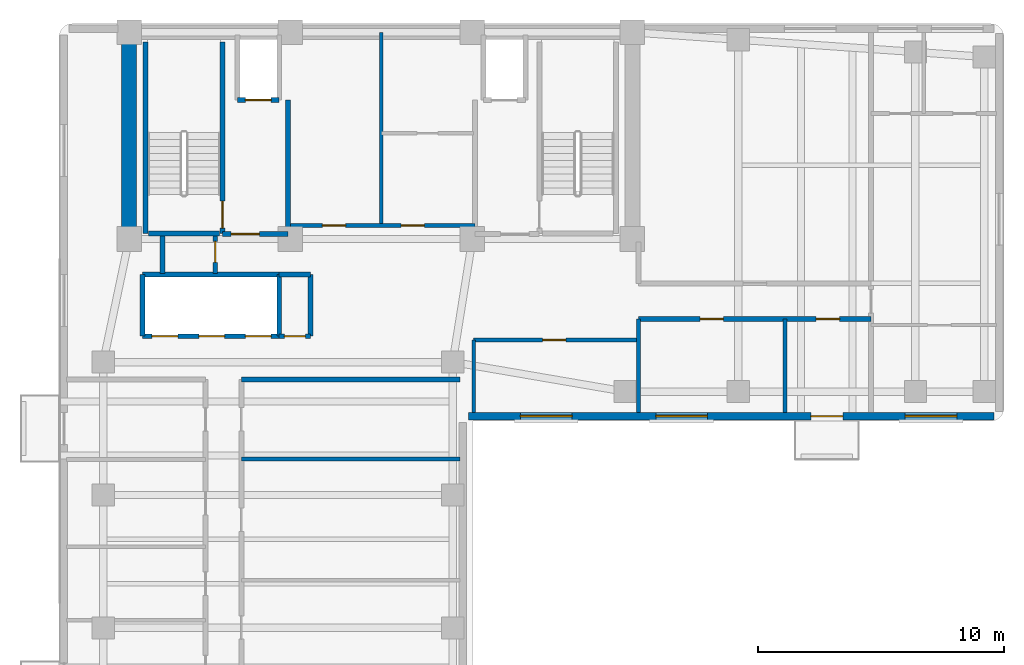
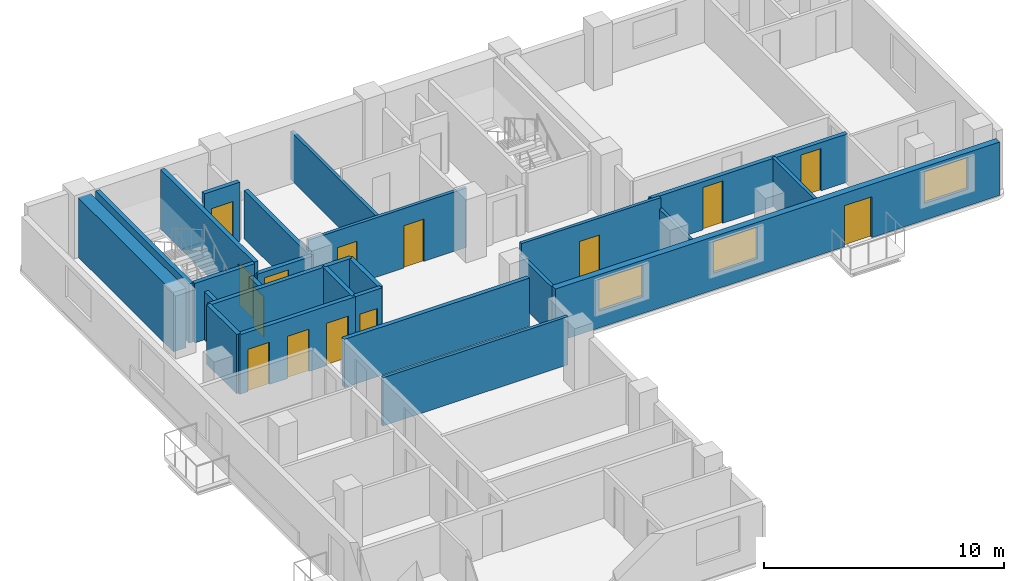
# One storey, part 3 of 6: 26 walls, 14 doors, 3 windows, 17 openings.
"""IFC4 building model written with IfcOpenShell, lengths in metres."""

from ifc_helpers import new_model, si_unit, direction, frame, frame_2d, origin, place, context, subcontext, project, spatial, rectangle, extrude, material, layer, layer_set, type_object, element, fill, save


model = new_model("IFC4")

# Units and contexts
model_context = context("Model", 3, precision=1e-05, world=origin(), true_north=direction((0.0, 1.0)))
body_context = subcontext(model_context, "Body", "Model", "MODEL_VIEW")
ifc_project = project(units=[si_unit("LENGTHUNIT", "METRE"), si_unit("AREAUNIT", "SQUARE_METRE"), si_unit("VOLUMEUNIT", "CUBIC_METRE"), si_unit("PLANEANGLEUNIT", "RADIAN"), si_unit("MASSUNIT", "GRAM", prefix="KILO")], contexts=[model_context])

# Site, building, storey
site_placement = place(None, origin())
site = spatial("IfcSite", under=ifc_project, at=site_placement, CompositionType="ELEMENT")
building_placement = place(site_placement, origin())
building = spatial("IfcBuilding", under=site, at=building_placement, Name="Kuzgunbayir Cultural Tower", CompositionType="ELEMENT")
storey_placement = place(building_placement, frame((0.0, 0.0, 169.60009765625)))
storey = spatial("IfcBuildingStorey", under=building, at=storey_placement, Name="L49", CompositionType="ELEMENT", Elevation=169.60009765625)

# Wall
ifc_material_1 = material(Name="Concrete C60/75", Category="concrete")
ifc_layer_1 = layer(ifc_material_1, 0.60009765625)
ifc_layer_set_1 = layer_set([ifc_layer_1], Name="Concrete C60/75")
wall_type_1 = type_object("IfcWallType", Name="WAL-CORE-600", PredefinedType="SHEAR", material=ifc_layer_set_1)
wall_1_placement = place(storey_placement, frame((6.449951171875, 33.800048828125, 0.0), z_axis=(0.0, 0.0, 1.0), x_axis=(0.0, 1.0, 0.0)))
element("IfcWall", 1, at=wall_1_placement, inside=storey, type_object=wall_type_1, Name="L49 T1 Core West Shear Wall", PredefinedType="SHEAR", context=body_context, shape_type="SweptSolid", body=[
    extrude(rectangle(XDim=7.949951171875, YDim=0.60009765625, at=frame_2d((3.97509765625, 0.0))), origin(), (0.0, 0.0, 1.0), 3.02001953125),
])

# Wall, openings, door, windows
ifc_material_2 = material(Name="Anatolian Cream Limestone", Category="masonry")
ifc_layer_2 = layer(ifc_material_2, 0.300048828125)
ifc_layer_set_2 = layer_set([ifc_layer_2], Name="Anatolian Cream Limestone")
wall_type_2 = type_object("IfcWallType", Name="WAL-EXT-STONE-300", PredefinedType="STANDARD", material=ifc_layer_set_2)
wall_2_placement = place(storey_placement, frame((20.25, 26.60009765625, 0.0), z_axis=(0.0, 0.0, 1.0), x_axis=(1.0, 0.0, 0.0)))
wall_2 = element("IfcWall", 2, at=wall_2_placement, inside=storey, type_object=wall_type_2, Name="L49 Wing B South Limestone Wall", PredefinedType="STANDARD", context=body_context, shape_type="SweptSolid", body=[
    extrude(rectangle(XDim=21.35009765625, YDim=0.300048828125, at=frame_2d((10.675048828125, 0.0))), origin(), (0.0, 0.0, 1.0), 2.7099609375),
])
opening_1_placement = place(wall_2_placement, frame((13.89990234375, 0.0, 0.0)))
opening_1 = element("IfcOpeningElement", 3, at=opening_1_placement, cuts=wall_2, Name="Opening BD-13", PredefinedType="OPENING", context=body_context, shape_type="SweptSolid", body=[
    extrude(rectangle(XDim=1.300048828125, YDim=2.080078125, at=frame_2d((0.64990234375, 1.0400390625))), frame((0.0, 0.16015625, 0.0), z_axis=(0.0, -1.0, 0.0), x_axis=(1.0, 0.0, 0.0)), (0.0, 0.0, 1.0), 0.320068359375),
])
opening_2_placement = place(wall_2_placement, frame((17.72998046875, 0.0, 0.85009765625)))
opening_2 = element("IfcOpeningElement", 4, at=opening_2_placement, cuts=wall_2, Name="Opening WR-21", PredefinedType="OPENING", context=body_context, shape_type="SweptSolid", body=[
    extrude(rectangle(XDim=2.10009765625, YDim=1.610107421875, at=frame_2d((1.050048828125, 0.80517578125))), frame((0.0, 0.16015625, 0.0), z_axis=(0.0, -1.0, 0.0), x_axis=(1.0, 0.0, 0.0)), (0.0, 0.0, 1.0), 0.320068359375),
])
opening_3_placement = place(wall_2_placement, frame((2.10009765625, 0.0, 0.85009765625)))
opening_3 = element("IfcOpeningElement", 5, at=opening_3_placement, cuts=wall_2, Name="Opening WR-21", PredefinedType="OPENING", context=body_context, shape_type="SweptSolid", body=[
    extrude(rectangle(XDim=2.10009765625, YDim=1.610107421875, at=frame_2d((1.050048828125, 0.80517578125))), frame((0.0, 0.16015625, 0.0), z_axis=(0.0, -1.0, 0.0), x_axis=(1.0, 0.0, 0.0)), (0.0, 0.0, 1.0), 0.320068359375),
])
opening_4_placement = place(wall_2_placement, frame((7.60009765625, 0.0, 0.85009765625)))
opening_4 = element("IfcOpeningElement", 6, at=opening_4_placement, cuts=wall_2, Name="Opening WR-21", PredefinedType="OPENING", context=body_context, shape_type="SweptSolid", body=[
    extrude(rectangle(XDim=2.10009765625, YDim=1.610107421875, at=frame_2d((1.050048828125, 0.80517578125))), frame((0.0, 0.16015625, 0.0), z_axis=(0.0, -1.0, 0.0), x_axis=(1.0, 0.0, 0.0)), (0.0, 0.0, 1.0), 0.320068359375),
])
ifc_material_3 = material(Name="Thermally Broken Glazed Aluminium", Category="aluminium")
door_type_1 = type_object("IfcDoorType", Name="DR-BALCONY-135", OperationType="SLIDING_TO_LEFT", PredefinedType="DOOR", material=ifc_material_3)
door_1_placement = place(opening_1_placement, origin())
door_1 = element("IfcDoor", 7, at=door_1_placement, inside=storey, type_object=door_type_1, Name="L49 South Balcony Sliding Door BAL-L49-WB2", OperationType="SLIDING_TO_LEFT", OverallHeight=2.080078125, OverallWidth=1.300048828125, PredefinedType="DOOR", context=body_context, shape_type="SweptSolid", body=[
    extrude(rectangle(XDim=1.300048828125, YDim=2.080078125, at=frame_2d((0.64990234375, 1.0400390625))), frame((0.0, 0.02490234375, 0.0), z_axis=(0.0, -1.0, 0.0), x_axis=(1.0, 0.0, 0.0)), (0.0, 0.0, 1.0), 0.050048828125),
])
fill(opening_1, door_1)
ifc_material_4 = material(Name="Solar-Control Triple Glazing", Category="glass")
window_type = type_object("IfcWindowType", Name="WIN-RESID-21", PartitioningType="SINGLE_PANEL", PredefinedType="WINDOW", material=ifc_material_4)
window_1_placement = place(opening_2_placement, origin())
window_1 = element("IfcWindow", 8, at=window_1_placement, inside=storey, type_object=window_type, Name="L49 WBS Facade Window 6", OverallHeight=1.610107421875, OverallWidth=2.10009765625, PartitioningType="SINGLE_PANEL", PredefinedType="WINDOW", context=body_context, shape_type="SweptSolid", body=[
    extrude(rectangle(XDim=2.10009765625, YDim=1.610107421875, at=frame_2d((1.050048828125, 0.80517578125))), frame((0.0, 0.030029296875, 0.0), z_axis=(0.0, -1.0, 0.0), x_axis=(1.0, 0.0, 0.0)), (0.0, 0.0, 1.0), 0.06005859375),
])
fill(opening_2, window_1)
window_2_placement = place(opening_3_placement, origin())
window_2 = element("IfcWindow", 9, at=window_2_placement, inside=storey, type_object=window_type, Name="L49 WBS Facade Window 13", OverallHeight=1.610107421875, OverallWidth=2.10009765625, PartitioningType="SINGLE_PANEL", PredefinedType="WINDOW", context=body_context, shape_type="SweptSolid", body=[
    extrude(rectangle(XDim=2.10009765625, YDim=1.610107421875, at=frame_2d((1.050048828125, 0.80517578125))), frame((0.0, 0.030029296875, 0.0), z_axis=(0.0, -1.0, 0.0), x_axis=(1.0, 0.0, 0.0)), (0.0, 0.0, 1.0), 0.06005859375),
])
fill(opening_3, window_2)
window_3_placement = place(opening_4_placement, origin())
window_3 = element("IfcWindow", 10, at=window_3_placement, inside=storey, type_object=window_type, Name="L49 WBS Facade Window 14", OverallHeight=1.610107421875, OverallWidth=2.10009765625, PartitioningType="SINGLE_PANEL", PredefinedType="WINDOW", context=body_context, shape_type="SweptSolid", body=[
    extrude(rectangle(XDim=2.10009765625, YDim=1.610107421875, at=frame_2d((1.050048828125, 0.80517578125))), frame((0.0, 0.030029296875, 0.0), z_axis=(0.0, -1.0, 0.0), x_axis=(1.0, 0.0, 0.0)), (0.0, 0.0, 1.0), 0.06005859375),
])
fill(opening_4, window_3)

# Wall, openings, doors
ifc_material_5 = material(Name="Acoustic Double-Stud Drywall", Category="gypsum")
ifc_layer_3 = layer(ifc_material_5, 0.14990234375)
ifc_layer_set_3 = layer_set([ifc_layer_3], Name="Acoustic Double-Stud Drywall")
wall_type_3 = type_object("IfcWallType", Name="WAL-PART-ACOUSTIC-150", PredefinedType="PARTITIONING", material=ifc_layer_set_3)
wall_3_placement = place(storey_placement, frame((12.89990234375, 34.35009765625, 0.0), z_axis=(0.0, 0.0, 1.0), x_axis=(1.0, 0.0, 0.0)))
wall_3 = element("IfcWall", 11, at=wall_3_placement, inside=storey, type_object=wall_type_3, Name="L49 Sky Core South Wall", PredefinedType="PARTITIONING", context=body_context, shape_type="SweptSolid", body=[
    extrude(rectangle(XDim=7.60009765625, YDim=0.14990234375, at=frame_2d((3.800048828125, 0.0))), origin(), (0.0, 0.0, 1.0), 3.02001953125),
])
opening_5_placement = place(wall_3_placement, frame((1.39990234375, 0.0, 0.0)))
opening_5 = element("IfcOpeningElement", 12, at=opening_5_placement, cuts=wall_3, Name="Opening DC-95", PredefinedType="OPENING", context=body_context, shape_type="SweptSolid", body=[
    extrude(rectangle(XDim=0.949951171875, YDim=2.14990234375, at=frame_2d((0.47509765625, 1.074951171875))), frame((0.0, 0.0849609375, 0.0), z_axis=(0.0, -1.0, 0.0), x_axis=(1.0, 0.0, 0.0)), (0.0, 0.0, 1.0), 0.169921875),
])
opening_6_placement = place(wall_3_placement, frame((4.60009765625, 0.0, 0.0)))
opening_6 = element("IfcOpeningElement", 13, at=opening_6_placement, cuts=wall_3, Name="Opening DC-95", PredefinedType="OPENING", context=body_context, shape_type="SweptSolid", body=[
    extrude(rectangle(XDim=0.949951171875, YDim=2.14990234375, at=frame_2d((0.47509765625, 1.074951171875))), frame((0.0, 0.0849609375, 0.0), z_axis=(0.0, -1.0, 0.0), x_axis=(1.0, 0.0, 0.0)), (0.0, 0.0, 1.0), 0.169921875),
])
ifc_material_6 = material(Name="Fire-Rated Veneered Oak Leaf", Category="wood")
door_type_2 = type_object("IfcDoorType", Name="DR-CORE-95", OperationType="NOTDEFINED", PredefinedType="DOOR", material=ifc_material_6)
door_2_placement = place(opening_5_placement, origin())
door_2 = element("IfcDoor", 14, at=door_2_placement, inside=storey, type_object=door_type_2, Name="L49 Library Alcove Door", OperationType="SINGLE_SWING_LEFT", OverallHeight=2.14990234375, OverallWidth=0.949951171875, PredefinedType="DOOR", context=body_context, shape_type="SweptSolid", body=[
    extrude(rectangle(XDim=0.949951171875, YDim=2.14990234375, at=frame_2d((0.47509765625, 1.074951171875))), frame((0.0, 0.02490234375, 0.0), z_axis=(0.0, -1.0, 0.0), x_axis=(1.0, 0.0, 0.0)), (0.0, 0.0, 1.0), 0.050048828125),
])
fill(opening_5, door_2)
door_3_placement = place(opening_6_placement, origin())
door_3 = element("IfcDoor", 15, at=door_3_placement, inside=storey, type_object=door_type_2, Name="L49 Music Practice Room Door", OperationType="SINGLE_SWING_RIGHT", OverallHeight=2.14990234375, OverallWidth=0.949951171875, PredefinedType="DOOR", context=body_context, shape_type="SweptSolid", body=[
    extrude(rectangle(XDim=0.949951171875, YDim=2.14990234375, at=frame_2d((0.47509765625, 1.074951171875))), frame((0.0, 0.02490234375, 0.0), z_axis=(0.0, -1.0, 0.0), x_axis=(1.0, 0.0, 0.0)), (0.0, 0.0, 1.0), 0.050048828125),
])
fill(opening_6, door_3)

# Wall
wall_4_placement = place(storey_placement, frame((16.699951171875, 34.35009765625, 0.0), z_axis=(0.0, 0.0, 1.0), x_axis=(0.0, 1.0, 0.0)))
element("IfcWall", 16, at=wall_4_placement, inside=storey, type_object=wall_type_3, Name="L49 Sky Core Vertical Wall", PredefinedType="PARTITIONING", context=body_context, shape_type="SweptSolid", body=[
    extrude(rectangle(XDim=7.849853515625, YDim=0.14990234375, at=frame_2d((3.9248046875, 0.0))), origin(), (0.0, 0.0, 1.0), 2.449951171875),
])

# Wall, opening, door
wall_5_placement = place(storey_placement, frame((20.449951171875, 29.699951171875, 0.0), z_axis=(0.0, 0.0, 1.0), x_axis=(1.0, 0.0, 0.0)))
wall_5 = element("IfcWall", 17, at=wall_5_placement, inside=storey, type_object=wall_type_3, Name="L49 Waist Alcove North Wall", PredefinedType="PARTITIONING", context=body_context, shape_type="SweptSolid", body=[
    extrude(rectangle(XDim=6.699951171875, YDim=0.14990234375, at=frame_2d((3.35009765625, 0.0))), origin(), (0.0, 0.0, 1.0), 3.02001953125),
])
opening_7_placement = place(wall_5_placement, frame((2.800048828125, 0.0, 0.0)))
opening_7 = element("IfcOpeningElement", 18, at=opening_7_placement, cuts=wall_5, Name="Opening DI-90", PredefinedType="OPENING", context=body_context, shape_type="SweptSolid", body=[
    extrude(rectangle(XDim=0.949951171875, YDim=2.14990234375, at=frame_2d((0.47509765625, 1.074951171875))), frame((0.0, 0.0849609375, 0.0), z_axis=(0.0, -1.0, 0.0), x_axis=(1.0, 0.0, 0.0)), (0.0, 0.0, 1.0), 0.169921875),
])
ifc_material_7 = material(Name="Veneered Oak Single Leaf", Category="wood")
door_type_3 = type_object("IfcDoorType", Name="DR-INT-90", OperationType="NOTDEFINED", PredefinedType="DOOR", material=ifc_material_7)
door_4_placement = place(opening_7_placement, origin())
door_4 = element("IfcDoor", 19, at=door_4_placement, inside=storey, type_object=door_type_3, Name="L49 Waist Alcove Door", OperationType="SINGLE_SWING_RIGHT", OverallHeight=2.14990234375, OverallWidth=0.949951171875, PredefinedType="DOOR", context=body_context, shape_type="SweptSolid", body=[
    extrude(rectangle(XDim=0.949951171875, YDim=2.14990234375, at=frame_2d((0.47509765625, 1.074951171875))), frame((0.0, 0.02490234375, 0.0), z_axis=(0.0, -1.0, 0.0), x_axis=(1.0, 0.0, 0.0)), (0.0, 0.0, 1.0), 0.050048828125),
])
fill(opening_7, door_4)

# Walls
wall_6_placement = place(storey_placement, frame((20.449951171875, 26.75, 0.0), z_axis=(0.0, 0.0, 1.0), x_axis=(0.0, 1.0, 0.0)))
element("IfcWall", 20, at=wall_6_placement, inside=storey, type_object=wall_type_3, Name="L49 Waist Alcove West Wall", PredefinedType="PARTITIONING", context=body_context, shape_type="SweptSolid", body=[
    extrude(rectangle(XDim=2.949951171875, YDim=0.14990234375, at=frame_2d((1.47509765625, 0.0))), origin(), (0.0, 0.0, 1.0), 2.449951171875),
])
wall_7_placement = place(storey_placement, frame((27.14990234375, 26.75, 0.0), z_axis=(0.0, 0.0, 1.0), x_axis=(0.0, 1.0, 0.0)))
element("IfcWall", 21, at=wall_7_placement, inside=storey, type_object=wall_type_3, Name="L49 Waist Alcove East Wall", PredefinedType="PARTITIONING", context=body_context, shape_type="SweptSolid", body=[
    extrude(rectangle(XDim=3.800048828125, YDim=0.14990234375, at=frame_2d((1.89990234375, 0.0))), origin(), (0.0, 0.0, 1.0), 2.449951171875),
])
wall_8_placement = place(storey_placement, frame((11.010009765625, 24.860107421875, 0.0), z_axis=(0.0, 0.0, 1.0), x_axis=(1.0, 0.0, 0.0)))
element("IfcWall", 22, at=wall_8_placement, inside=storey, type_object=wall_type_3, Name="L49 East Divider 2", PredefinedType="PARTITIONING", context=body_context, shape_type="SweptSolid", body=[
    extrude(rectangle(XDim=8.889892578125, YDim=0.14990234375, at=frame_2d((4.44482421875, 0.0))), origin(), (0.0, 0.0, 1.0), 2.449951171875),
])
wall_9_placement = place(storey_placement, frame((33.10009765625, 26.75, 0.0), z_axis=(0.0, 0.0, 1.0), x_axis=(0.0, 1.0, 0.0)))
element("IfcWall", 23, at=wall_9_placement, inside=storey, type_object=wall_type_3, Name="L49 Wing B South Divider 1", PredefinedType="PARTITIONING", context=body_context, shape_type="SweptSolid", body=[
    extrude(rectangle(XDim=3.800048828125, YDim=0.14990234375, at=frame_2d((1.89990234375, 0.0))), origin(), (0.0, 0.0, 1.0), 2.449951171875),
])
ifc_material_8 = material(Name="Aerated Concrete Blockwork", Category="masonry")
ifc_layer_4 = layer(ifc_material_8, 0.199951171875)
ifc_layer_set_4 = layer_set([ifc_layer_4], Name="Aerated Concrete Blockwork")
wall_type_4 = type_object("IfcWallType", Name="WAL-PART-FIRE-200", PredefinedType="PARTITIONING", material=ifc_layer_set_4)
wall_10_placement = place(storey_placement, frame((12.89990234375, 34.0, 0.0), z_axis=(0.0, 0.0, 1.0), x_axis=(0.0, 1.0, 0.0)))
element("IfcWall", 24, at=wall_10_placement, inside=storey, type_object=wall_type_4, Name="L49 FFL-1 Lobby East Fire Wall", PredefinedType="PARTITIONING", context=body_context, shape_type="SweptSolid", body=[
    extrude(rectangle(XDim=5.449951171875, YDim=0.199951171875, at=frame_2d((2.72509765625, 0.0))), origin(), (0.0, 0.0, 1.0), 2.449951171875),
])

# Wall, opening, door
wall_11_placement = place(storey_placement, frame((10.239990234375, 34.0, 0.0), z_axis=(0.0, 0.0, 1.0), x_axis=(1.0, 0.0, 0.0)))
wall_11 = element("IfcWall", 25, at=wall_11_placement, inside=storey, type_object=wall_type_4, Name="L49 FFL-1 Lobby South Fire Wall", PredefinedType="PARTITIONING", context=body_context, shape_type="SweptSolid", body=[
    extrude(rectangle(XDim=2.659912109375, YDim=0.199951171875, at=frame_2d((1.330078125, 0.0))), origin(), (0.0, 0.0, 1.0), 2.449951171875),
])
opening_8_placement = place(wall_11_placement, frame((0.35009765625, 0.0, 0.0)))
opening_8 = element("IfcOpeningElement", 26, at=opening_8_placement, cuts=wall_11, Name="Opening DR-FFL-90", PredefinedType="OPENING", context=body_context, shape_type="SweptSolid", body=[
    extrude(rectangle(XDim=1.14990234375, YDim=2.14990234375, at=frame_2d((0.574951171875, 1.074951171875))), frame((0.0, 0.10986328125, 0.0), z_axis=(0.0, -1.0, 0.0), x_axis=(1.0, 0.0, 0.0)), (0.0, 0.0, 1.0), 0.219970703125),
])
ifc_material_9 = material(Name="Steel S355J2", Category="steel")
door_type_4 = type_object("IfcDoorType", Name="DR-FFL-90", OperationType="NOTDEFINED", PredefinedType="DOOR", material=ifc_material_9)
door_5_placement = place(opening_8_placement, origin())
door_5 = element("IfcDoor", 27, at=door_5_placement, inside=storey, type_object=door_type_4, Name="L49 Firefighting Lobby 1 Door", OperationType="SINGLE_SWING_LEFT", OverallHeight=2.14990234375, OverallWidth=1.14990234375, PredefinedType="DOOR", context=body_context, shape_type="SweptSolid", body=[
    extrude(rectangle(XDim=1.14990234375, YDim=2.14990234375, at=frame_2d((0.574951171875, 1.074951171875))), frame((0.0, 0.02490234375, 0.0), z_axis=(0.0, -1.0, 0.0), x_axis=(1.0, 0.0, 0.0)), (0.0, 0.0, 1.0), 0.050048828125),
])
fill(opening_8, door_5)

wall_12_placement = place(storey_placement, frame((12.550048828125, 29.85009765625, 0.0), z_axis=(0.0, 0.0, 1.0), x_axis=(1.0, 0.0, 0.0)))
wall_12 = element("IfcWall", 28, at=wall_12_placement, inside=storey, type_object=wall_type_4, Name="L49 Center Core Switchgear South Wall", PredefinedType="PARTITIONING", context=body_context, shape_type="SweptSolid", body=[
    extrude(rectangle(XDim=1.27001953125, YDim=0.199951171875, at=frame_2d((0.635009765625, 0.0))), origin(), (0.0, 0.0, 1.0), 3.02001953125),
])
opening_9_placement = place(wall_12_placement, frame((0.2099609375, 0.0, 0.0)))
opening_9 = element("IfcOpeningElement", 29, at=opening_9_placement, cuts=wall_12, Name="Opening DR-RSR-60", PredefinedType="OPENING", context=body_context, shape_type="SweptSolid", body=[
    extrude(rectangle(XDim=0.85009765625, YDim=2.050048828125, at=frame_2d((0.425048828125, 1.02490234375))), frame((0.0, 0.10986328125, 0.0), z_axis=(0.0, -1.0, 0.0), x_axis=(1.0, 0.0, 0.0)), (0.0, 0.0, 1.0), 0.219970703125),
])
ifc_material_10 = material(Name="Steel Access Leaf", Category="steel")
door_type_5 = type_object("IfcDoorType", Name="DR-RISER-60", OperationType="NOTDEFINED", PredefinedType="DOOR", material=ifc_material_10)
door_6_placement = place(opening_9_placement, origin())
door_6 = element("IfcDoor", 30, at=door_6_placement, inside=storey, type_object=door_type_5, Name="L49 Electrical Switchgear Closet Door", OperationType="SINGLE_SWING_LEFT", OverallHeight=2.050048828125, OverallWidth=0.85009765625, PredefinedType="DOOR", context=body_context, shape_type="SweptSolid", body=[
    extrude(rectangle(XDim=0.85009765625, YDim=2.050048828125, at=frame_2d((0.425048828125, 1.02490234375))), frame((0.0, 0.02490234375, 0.0), z_axis=(0.0, -1.0, 0.0), x_axis=(1.0, 0.0, 0.0)), (0.0, 0.0, 1.0), 0.050048828125),
])
fill(opening_9, door_6)

# Walls
wall_13_placement = place(storey_placement, frame((13.820068359375, 29.85009765625, 0.0), z_axis=(0.0, 0.0, 1.0), x_axis=(0.0, 1.0, 0.0)))
element("IfcWall", 31, at=wall_13_placement, inside=storey, type_object=wall_type_4, Name="L49 Center Core Switchgear East Wall", PredefinedType="PARTITIONING", context=body_context, shape_type="SweptSolid", body=[
    extrude(rectangle(XDim=2.5, YDim=0.199951171875, at=frame_2d((1.25, 0.0))), origin(), (0.0, 0.0, 1.0), 3.02001953125),
])
wall_14_placement = place(storey_placement, frame((12.550048828125, 32.35009765625, 0.0), z_axis=(0.0, 0.0, 1.0), x_axis=(1.0, 0.0, 0.0)))
element("IfcWall", 32, at=wall_14_placement, inside=storey, type_object=wall_type_4, Name="L49 Center Core Switchgear North Wall", PredefinedType="PARTITIONING", context=body_context, shape_type="SweptSolid", body=[
    extrude(rectangle(XDim=1.27001953125, YDim=0.199951171875, at=frame_2d((0.635009765625, 0.0))), origin(), (0.0, 0.0, 1.0), 3.02001953125),
])
wall_15_placement = place(storey_placement, frame((7.800048828125, 32.39990234375, 0.0), z_axis=(0.0, 0.0, 1.0), x_axis=(0.0, 1.0, 0.0)))
element("IfcWall", 33, at=wall_15_placement, inside=storey, type_object=wall_type_4, Name="L49 West Core Electrical Closet West Wall", PredefinedType="PARTITIONING", context=body_context, shape_type="SweptSolid", body=[
    extrude(rectangle(XDim=1.52001953125, YDim=0.199951171875, at=frame_2d((0.760009765625, 0.0))), origin(), (0.0, 0.0, 1.0), 2.449951171875),
])

# Wall, opening, door
wall_16_placement = place(storey_placement, frame((9.949951171875, 32.39990234375, 0.0), z_axis=(0.0, 0.0, 1.0), x_axis=(0.0, 1.0, 0.0)))
wall_16 = element("IfcWall", 34, at=wall_16_placement, inside=storey, type_object=wall_type_4, Name="L49 West Core Electrical Closet East Wall", PredefinedType="PARTITIONING", context=body_context, shape_type="SweptSolid", body=[
    extrude(rectangle(XDim=1.52001953125, YDim=0.199951171875, at=frame_2d((0.760009765625, 0.0))), origin(), (0.0, 0.0, 1.0), 2.449951171875),
])
opening_10_placement = place(wall_16_placement, frame((0.449951171875, 0.0, 0.0)))
opening_10 = element("IfcOpeningElement", 35, at=opening_10_placement, cuts=wall_16, Name="Opening DR-RSR-60", PredefinedType="OPENING", context=body_context, shape_type="SweptSolid", body=[
    extrude(rectangle(XDim=0.85009765625, YDim=2.050048828125, at=frame_2d((0.425048828125, 1.02490234375))), frame((0.0, 0.10986328125, 0.0), z_axis=(0.0, -1.0, 0.0), x_axis=(1.0, 0.0, 0.0)), (0.0, 0.0, 1.0), 0.219970703125),
])
door_7_placement = place(opening_10_placement, origin())
door_7 = element("IfcDoor", 36, at=door_7_placement, inside=storey, type_object=door_type_5, Name="L49 West Core Switchgear Closet Door", OperationType="SINGLE_SWING_RIGHT", OverallHeight=2.050048828125, OverallWidth=0.85009765625, PredefinedType="DOOR", context=body_context, shape_type="SweptSolid", body=[
    extrude(rectangle(XDim=0.85009765625, YDim=2.050048828125, at=frame_2d((0.425048828125, 1.02490234375))), frame((0.0, 0.02490234375, 0.0), z_axis=(0.0, -1.0, 0.0), x_axis=(1.0, 0.0, 0.0)), (0.0, 0.0, 1.0), 0.050048828125),
])
fill(opening_10, door_7)

# Wall
wall_17_placement = place(storey_placement, frame((11.010009765625, 28.10009765625, 0.0), z_axis=(0.0, 0.0, 1.0), x_axis=(1.0, 0.0, 0.0)))
element("IfcWall", 37, at=wall_17_placement, inside=storey, type_object=wall_type_4, Name="L49 North East Partition", PredefinedType="PARTITIONING", context=body_context, shape_type="SweptSolid", body=[
    extrude(rectangle(XDim=8.889892578125, YDim=0.199951171875, at=frame_2d((4.44482421875, 0.0))), origin(), (0.0, 0.0, 1.0), 2.449951171875),
])

# Wall, openings, doors
wall_18_placement = place(storey_placement, frame((27.14990234375, 30.550048828125, 0.0), z_axis=(0.0, 0.0, 1.0), x_axis=(1.0, 0.0, 0.0)))
wall_18 = element("IfcWall", 38, at=wall_18_placement, inside=storey, type_object=wall_type_4, Name="L49 Wing B Residence Corridor South Wall", PredefinedType="PARTITIONING", context=body_context, shape_type="SweptSolid", body=[
    extrude(rectangle(XDim=9.4501953125, YDim=0.199951171875, at=frame_2d((4.72509765625, 0.0))), origin(), (0.0, 0.0, 1.0), 2.449951171875),
])
opening_11_placement = place(wall_18_placement, frame((2.5, 0.0, 0.0)))
opening_11 = element("IfcOpeningElement", 39, at=opening_11_placement, cuts=wall_18, Name="Opening DI-90", PredefinedType="OPENING", context=body_context, shape_type="SweptSolid", body=[
    extrude(rectangle(XDim=0.949951171875, YDim=2.14990234375, at=frame_2d((0.47509765625, 1.074951171875))), frame((0.0, 0.10986328125, 0.0), z_axis=(0.0, -1.0, 0.0), x_axis=(1.0, 0.0, 0.0)), (0.0, 0.0, 1.0), 0.219970703125),
])
opening_12_placement = place(wall_18_placement, frame((7.219970703125, 0.0, 0.0)))
opening_12 = element("IfcOpeningElement", 40, at=opening_12_placement, cuts=wall_18, Name="Opening DI-90", PredefinedType="OPENING", context=body_context, shape_type="SweptSolid", body=[
    extrude(rectangle(XDim=0.949951171875, YDim=2.14990234375, at=frame_2d((0.47509765625, 1.074951171875))), frame((0.0, 0.10986328125, 0.0), z_axis=(0.0, -1.0, 0.0), x_axis=(1.0, 0.0, 0.0)), (0.0, 0.0, 1.0), 0.219970703125),
])
door_8_placement = place(opening_11_placement, origin())
door_8 = element("IfcDoor", 41, at=door_8_placement, inside=storey, type_object=door_type_3, Name="L49 Wing B Seminar Boardroom 1 Door", OperationType="SINGLE_SWING_LEFT", OverallHeight=2.14990234375, OverallWidth=0.949951171875, PredefinedType="DOOR", context=body_context, shape_type="SweptSolid", body=[
    extrude(rectangle(XDim=0.949951171875, YDim=2.14990234375, at=frame_2d((0.47509765625, 1.074951171875))), frame((0.0, 0.02490234375, 0.0), z_axis=(0.0, -1.0, 0.0), x_axis=(1.0, 0.0, 0.0)), (0.0, 0.0, 1.0), 0.050048828125),
])
fill(opening_11, door_8)
door_9_placement = place(opening_12_placement, origin())
door_9 = element("IfcDoor", 42, at=door_9_placement, inside=storey, type_object=door_type_3, Name="L49 Wing B Seminar Boardroom 2 Door", OperationType="SINGLE_SWING_RIGHT", OverallHeight=2.14990234375, OverallWidth=0.949951171875, PredefinedType="DOOR", context=body_context, shape_type="SweptSolid", body=[
    extrude(rectangle(XDim=0.949951171875, YDim=2.14990234375, at=frame_2d((0.47509765625, 1.074951171875))), frame((0.0, 0.02490234375, 0.0), z_axis=(0.0, -1.0, 0.0), x_axis=(1.0, 0.0, 0.0)), (0.0, 0.0, 1.0), 0.050048828125),
])
fill(opening_12, door_9)

ifc_material_11 = material(Name="Concrete C40/50", Category="concrete")
ifc_layer_5 = layer(ifc_material_11, 0.199951171875)
ifc_layer_set_5 = layer_set([ifc_layer_5], Name="Concrete C40/50")
wall_type_5 = type_object("IfcWallType", Name="WAL-SHAFT-200", PredefinedType="MOVABLE", material=ifc_layer_set_5)
wall_19_placement = place(storey_placement, frame((7.0, 29.85009765625, 0.0), z_axis=(0.0, 0.0, 1.0), x_axis=(1.0, 0.0, 0.0)))
wall_19 = element("IfcWall", 43, at=wall_19_placement, inside=storey, type_object=wall_type_5, Name="L49 High-Rise Lift Shaft South Wall", PredefinedType="MOVABLE", context=body_context, shape_type="SweptSolid", body=[
    extrude(rectangle(XDim=5.550048828125, YDim=0.199951171875, at=frame_2d((2.77490234375, 0.0))), origin(), (0.0, 0.0, 1.0), 3.02001953125),
])
opening_13_placement = place(wall_19_placement, frame((0.3798828125, 0.0, 0.0)))
opening_13 = element("IfcOpeningElement", 44, at=opening_13_placement, cuts=wall_19, Name="Opening LD", PredefinedType="OPENING", context=body_context, shape_type="SweptSolid", body=[
    extrude(rectangle(XDim=1.050048828125, YDim=2.14990234375, at=frame_2d((0.52490234375, 1.074951171875))), frame((0.0, 0.10986328125, 0.0), z_axis=(0.0, -1.0, 0.0), x_axis=(1.0, 0.0, 0.0)), (0.0, 0.0, 1.0), 0.219970703125),
])
opening_14_placement = place(wall_19_placement, frame((2.280029296875, 0.0, 0.0)))
opening_14 = element("IfcOpeningElement", 45, at=opening_14_placement, cuts=wall_19, Name="Opening LD", PredefinedType="OPENING", context=body_context, shape_type="SweptSolid", body=[
    extrude(rectangle(XDim=1.050048828125, YDim=2.14990234375, at=frame_2d((0.52490234375, 1.074951171875))), frame((0.0, 0.10986328125, 0.0), z_axis=(0.0, -1.0, 0.0), x_axis=(1.0, 0.0, 0.0)), (0.0, 0.0, 1.0), 0.219970703125),
])
opening_15_placement = place(wall_19_placement, frame((4.169921875, 0.0, 0.0)))
opening_15 = element("IfcOpeningElement", 46, at=opening_15_placement, cuts=wall_19, Name="Opening LD", PredefinedType="OPENING", context=body_context, shape_type="SweptSolid", body=[
    extrude(rectangle(XDim=1.050048828125, YDim=2.14990234375, at=frame_2d((0.52490234375, 1.074951171875))), frame((0.0, 0.10986328125, 0.0), z_axis=(0.0, -1.0, 0.0), x_axis=(1.0, 0.0, 0.0)), (0.0, 0.0, 1.0), 0.219970703125),
])
ifc_material_12 = material(Name="Brushed Stainless Steel", Category="steel")
door_type_6 = type_object("IfcDoorType", Name="DR-LIFT-LANDING", OperationType="SLIDING_TO_LEFT", PredefinedType="DOOR", material=ifc_material_12)
door_10_placement = place(opening_13_placement, origin())
door_10 = element("IfcDoor", 47, at=door_10_placement, inside=storey, type_object=door_type_6, Name="L49 Lift PH-1 Landing Door", OperationType="SLIDING_TO_LEFT", OverallHeight=2.14990234375, OverallWidth=1.050048828125, PredefinedType="DOOR", context=body_context, shape_type="SweptSolid", body=[
    extrude(rectangle(XDim=1.050048828125, YDim=2.14990234375, at=frame_2d((0.52490234375, 1.074951171875))), frame((0.0, 0.02490234375, 0.0), z_axis=(0.0, -1.0, 0.0), x_axis=(1.0, 0.0, 0.0)), (0.0, 0.0, 1.0), 0.050048828125),
])
fill(opening_13, door_10)
door_11_placement = place(opening_14_placement, origin())
door_11 = element("IfcDoor", 48, at=door_11_placement, inside=storey, type_object=door_type_6, Name="L49 Lift PH-2 Landing Door", OperationType="SLIDING_TO_LEFT", OverallHeight=2.14990234375, OverallWidth=1.050048828125, PredefinedType="DOOR", context=body_context, shape_type="SweptSolid", body=[
    extrude(rectangle(XDim=1.050048828125, YDim=2.14990234375, at=frame_2d((0.52490234375, 1.074951171875))), frame((0.0, 0.02490234375, 0.0), z_axis=(0.0, -1.0, 0.0), x_axis=(1.0, 0.0, 0.0)), (0.0, 0.0, 1.0), 0.050048828125),
])
fill(opening_14, door_11)
door_12_placement = place(opening_15_placement, origin())
door_12 = element("IfcDoor", 49, at=door_12_placement, inside=storey, type_object=door_type_6, Name="L49 Lift PH-3 Landing Door", OperationType="SLIDING_TO_LEFT", OverallHeight=2.14990234375, OverallWidth=1.050048828125, PredefinedType="DOOR", context=body_context, shape_type="SweptSolid", body=[
    extrude(rectangle(XDim=1.050048828125, YDim=2.14990234375, at=frame_2d((0.52490234375, 1.074951171875))), frame((0.0, 0.02490234375, 0.0), z_axis=(0.0, -1.0, 0.0), x_axis=(1.0, 0.0, 0.0)), (0.0, 0.0, 1.0), 0.050048828125),
])
fill(opening_15, door_12)

# Walls
wall_20_placement = place(storey_placement, frame((7.0, 32.35009765625, 0.0), z_axis=(0.0, 0.0, 1.0), x_axis=(1.0, 0.0, 0.0)))
element("IfcWall", 50, at=wall_20_placement, inside=storey, type_object=wall_type_5, Name="L49 High-Rise Lift Shaft North Wall", PredefinedType="MOVABLE", context=body_context, shape_type="SweptSolid", body=[
    extrude(rectangle(XDim=5.550048828125, YDim=0.199951171875, at=frame_2d((2.77490234375, 0.0))), origin(), (0.0, 0.0, 1.0), 3.02001953125),
])
for number, where, z_axis, x_axis, name in (
    (51, (7.0, 29.85009765625, 0.0), (0.0, 0.0, 1.0), (0.0, 1.0, 0.0), "L49 High-Rise Lift Shaft West Wall"),
    (52, (12.550048828125, 29.85009765625, 0.0), (0.0, 0.0, 1.0), (0.0, 1.0, 0.0), "L49 High-Rise Lift Shaft East Wall"),
):
    element("IfcWall", number, at=place(storey_placement, frame(where, z_axis=z_axis, x_axis=x_axis)), inside=storey, type_object=wall_type_5, Name=name, PredefinedType="MOVABLE", context=body_context, shape_type="SweptSolid", body=[
        extrude(rectangle(XDim=2.5, YDim=0.199951171875, at=frame_2d((1.25, 0.0))), origin(), (0.0, 0.0, 1.0), 3.02001953125),
    ])

# Wall, opening, door
wall_21_placement = place(storey_placement, frame((10.85009765625, 39.449951171875, 0.0), z_axis=(0.0, 0.0, 1.0), x_axis=(1.0, 0.0, 0.0)))
wall_21 = element("IfcWall", 53, at=wall_21_placement, inside=storey, type_object=wall_type_5, Name="L49 FFL-1 Lift Front Wall", PredefinedType="MOVABLE", context=body_context, shape_type="SweptSolid", body=[
    extrude(rectangle(XDim=1.699951171875, YDim=0.199951171875, at=frame_2d((0.85009765625, 0.0))), origin(), (0.0, 0.0, 1.0), 3.02001953125),
])
opening_16_placement = place(wall_21_placement, frame((0.320068359375, 0.0, 0.0)))
opening_16 = element("IfcOpeningElement", 54, at=opening_16_placement, cuts=wall_21, Name="Opening LD", PredefinedType="OPENING", context=body_context, shape_type="SweptSolid", body=[
    extrude(rectangle(XDim=1.050048828125, YDim=2.14990234375, at=frame_2d((0.52490234375, 1.074951171875))), frame((0.0, 0.10986328125, 0.0), z_axis=(0.0, -1.0, 0.0), x_axis=(1.0, 0.0, 0.0)), (0.0, 0.0, 1.0), 0.219970703125),
])
door_13_placement = place(opening_16_placement, origin())
door_13 = element("IfcDoor", 55, at=door_13_placement, inside=storey, type_object=door_type_6, Name="L49 Lift FFL-1 Landing Door", OperationType="SLIDING_TO_LEFT", OverallHeight=2.14990234375, OverallWidth=1.050048828125, PredefinedType="DOOR", context=body_context, shape_type="SweptSolid", body=[
    extrude(rectangle(XDim=1.050048828125, YDim=2.14990234375, at=frame_2d((0.52490234375, 1.074951171875))), frame((0.0, 0.02490234375, 0.0), z_axis=(0.0, -1.0, 0.0), x_axis=(1.0, 0.0, 0.0)), (0.0, 0.0, 1.0), 0.050048828125),
])
fill(opening_16, door_13)

# Wall
ifc_layer_6 = layer(ifc_material_11, 0.199951171875)
ifc_layer_set_6 = layer_set([ifc_layer_6], Name="Concrete C40/50")
wall_type_6 = type_object("IfcWallType", Name="WAL-STAIR-RC-200", PredefinedType="SHEAR", material=ifc_layer_set_6)
wall_22_placement = place(storey_placement, frame((7.1201171875, 34.02001953125, 0.0), z_axis=(0.0, 0.0, 1.0), x_axis=(0.0, 1.0, 0.0)))
element("IfcWall", 56, at=wall_22_placement, inside=storey, type_object=wall_type_6, Name="L49 Stair ST-1 West Structural Wall", PredefinedType="SHEAR", context=body_context, shape_type="SweptSolid", body=[
    extrude(rectangle(XDim=7.780029296875, YDim=0.199951171875, at=frame_2d((3.89013671875, 0.0))), origin(), (0.0, 0.0, 1.0), 3.02001953125),
])

# Wall, opening, door
wall_23_placement = place(storey_placement, frame((10.239990234375, 34.02001953125, 0.0), z_axis=(0.0, 0.0, 1.0), x_axis=(0.0, 1.0, 0.0)))
wall_23 = element("IfcWall", 57, at=wall_23_placement, inside=storey, type_object=wall_type_6, Name="L49 Stair ST-1 East Structural Wall", PredefinedType="SHEAR", context=body_context, shape_type="SweptSolid", body=[
    extrude(rectangle(XDim=7.780029296875, YDim=0.199951171875, at=frame_2d((3.89013671875, 0.0))), origin(), (0.0, 0.0, 1.0), 3.02001953125),
])
opening_17_placement = place(wall_23_placement, frame((0.219970703125, 0.0, 0.0)))
opening_17 = element("IfcOpeningElement", 58, at=opening_17_placement, cuts=wall_23, Name="Opening DR-STAIR-90", PredefinedType="OPENING", context=body_context, shape_type="SweptSolid", body=[
    extrude(rectangle(XDim=1.10009765625, YDim=2.14990234375, at=frame_2d((0.550048828125, 1.074951171875))), frame((0.0, 0.10986328125, 0.0), z_axis=(0.0, -1.0, 0.0), x_axis=(1.0, 0.0, 0.0)), (0.0, 0.0, 1.0), 0.219970703125),
])
door_type_7 = type_object("IfcDoorType", Name="DR-STAIR-90", OperationType="NOTDEFINED", PredefinedType="DOOR", material=ifc_material_9)
door_14_placement = place(opening_17_placement, origin())
door_14 = element("IfcDoor", 59, at=door_14_placement, inside=storey, type_object=door_type_7, Name="L49 Stair ST-1 Fire Door", OperationType="SINGLE_SWING_LEFT", OverallHeight=2.14990234375, OverallWidth=1.10009765625, PredefinedType="DOOR", context=body_context, shape_type="SweptSolid", body=[
    extrude(rectangle(XDim=1.10009765625, YDim=2.14990234375, at=frame_2d((0.550048828125, 1.074951171875))), frame((0.0, 0.02490234375, 0.0), z_axis=(0.0, -1.0, 0.0), x_axis=(1.0, 0.0, 0.0)), (0.0, 0.0, 1.0), 0.050048828125),
])
fill(opening_17, door_14)

# Wall
wall_24_placement = place(storey_placement, frame((7.239990234375, 34.02001953125, 0.0), z_axis=(0.0, 0.0, 1.0), x_axis=(1.0, 0.0, 0.0)))
element("IfcWall", 60, at=wall_24_placement, inside=storey, type_object=wall_type_6, Name="L49 Stair ST-1 South Structural Wall", PredefinedType="SHEAR", context=body_context, shape_type="SweptSolid", body=[
    extrude(rectangle(XDim=2.880126953125, YDim=0.199951171875, at=frame_2d((1.43994140625, 0.0))), origin(), (0.0, 0.0, 1.0), 3.02001953125),
])

save(model, "model.ifc")
